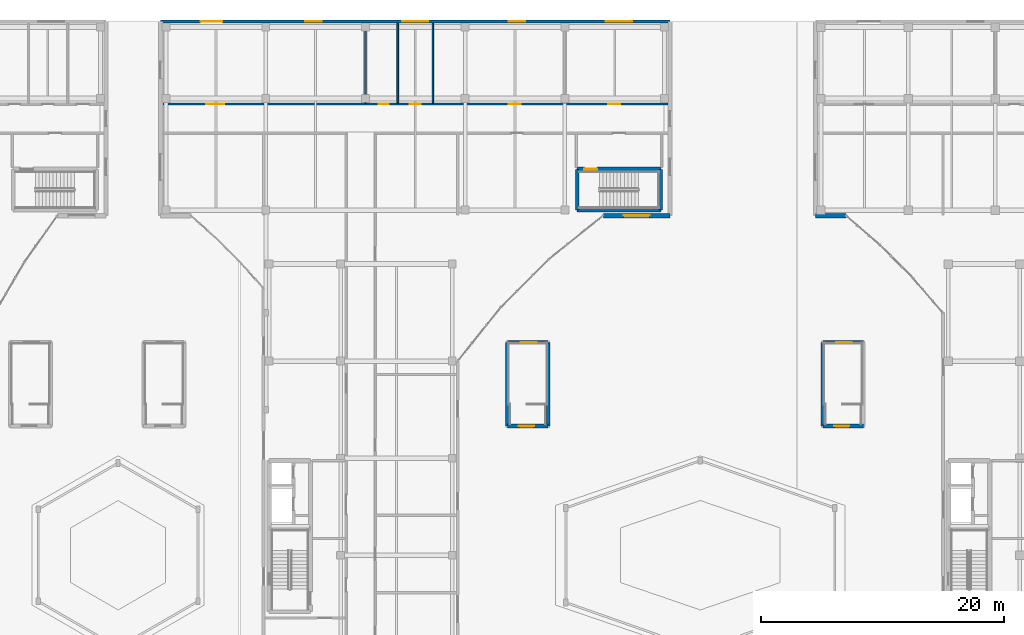
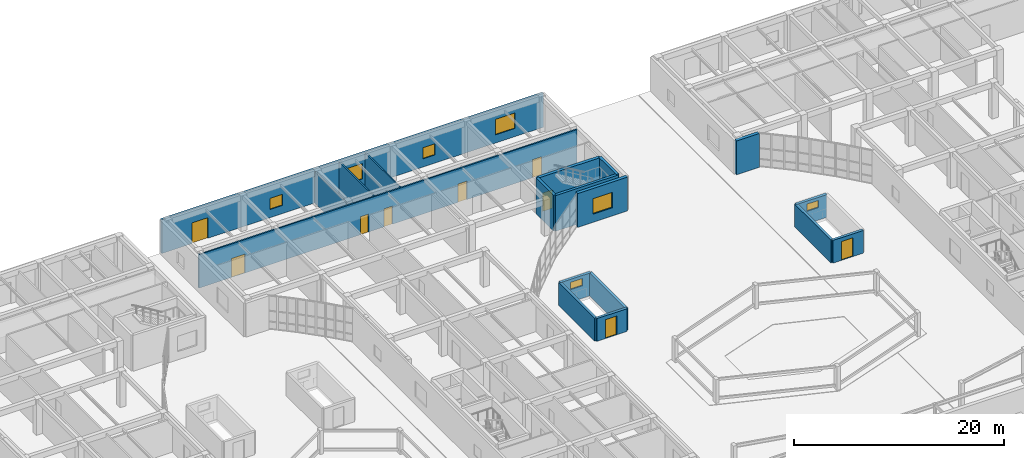
# One storey, part 83 of 114: 18 walls, 9 doors, 7 windows, 16 openings.
"""IFC4 building model written with IfcOpenShell, lengths in metres."""

from ifc_helpers import new_model, si_unit, direction, frame, frame_2d, origin, place, context, subcontext, project, spatial, rectangle, extrude, material, layer, layer_set, type_object, element, fill, save


model = new_model("IFC4")

# Units and contexts
model_context = context("Model", 3, precision=1e-05, world=origin(), true_north=direction((0.0, 1.0)))
body_context = subcontext(model_context, "Body", "Model", "MODEL_VIEW")
ifc_project = project(units=[si_unit("LENGTHUNIT", "METRE"), si_unit("AREAUNIT", "SQUARE_METRE"), si_unit("VOLUMEUNIT", "CUBIC_METRE"), si_unit("PLANEANGLEUNIT", "RADIAN"), si_unit("MASSUNIT", "GRAM", prefix="KILO")], contexts=[model_context])

# Site, building, storey
site_placement = place(None, origin())
site = spatial("IfcSite", under=ifc_project, at=site_placement, CompositionType="ELEMENT")
building_placement = place(site_placement, origin())
building = spatial("IfcBuilding", under=site, at=building_placement, Name="Keldmere Railside Commons", CompositionType="ELEMENT")
storey_placement = place(building_placement, origin())
storey = spatial("IfcBuildingStorey", under=building, at=storey_placement, Name="L00", CompositionType="ELEMENT", Elevation=0.0)

# Wall, openings, doors
ifc_material_1 = material(Name="Acoustic Gypsum Board Partition", Category="gypsum")
ifc_layer_1 = layer(ifc_material_1, 0.159912109375, Name="Corridor Fire Partition 160")
ifc_layer_set_1 = layer_set([ifc_layer_1], Name="Acoustic Gypsum Board Partition")
wall_type_1 = type_object("IfcWallType", Name="Corridor Fire Partition 160", PredefinedType="PARTITIONING", material=ifc_layer_set_1)
wall_1_placement = place(storey_placement, frame((39.679931640625, 109.199951171875, 0.0), z_axis=(0.0, 0.0, 1.0), x_axis=(1.0, 0.0, 0.0)))
wall_1 = element("IfcWall", 1, at=wall_1_placement, inside=storey, type_object=wall_type_1, Name="IW-2 IW-L00-0490", PredefinedType="PARTITIONING", context=body_context, shape_type="SweptSolid", body=[
    extrude(rectangle(XDim=41.64013671875, YDim=0.159912109375, at=frame_2d((20.820068359375, 0.0))), origin(), (0.0, 0.0, 1.0), 3.89501953125),
])
opening_1_placement = place(wall_1_placement, frame((3.570068359375, 0.0, 0.0)))
opening_1 = element("IfcOpeningElement", 2, at=opening_1_placement, cuts=wall_1, Name="Opening ID-07", PredefinedType="OPENING", context=body_context, shape_type="SweptSolid", body=[
    extrude(rectangle(XDim=1.5, YDim=2.199951171875, at=frame_2d((0.75, 1.10009765625))), frame((0.0, 0.08984375, 0.0), z_axis=(0.0, -1.0, 0.0), x_axis=(1.0, 0.0, 0.0)), (0.0, 0.0, 1.0), 0.179931640625),
])
opening_2_placement = place(wall_1_placement, frame((17.7900390625, 0.0, 0.0)))
opening_2 = element("IfcOpeningElement", 3, at=opening_2_placement, cuts=wall_1, Name="Opening ID-04", PredefinedType="OPENING", context=body_context, shape_type="SweptSolid", body=[
    extrude(rectangle(XDim=0.860107421875, YDim=2.10009765625, at=frame_2d((0.43017578125, 1.050048828125))), frame((0.0, 0.08984375, 0.0), z_axis=(0.0, -1.0, 0.0), x_axis=(1.0, 0.0, 0.0)), (0.0, 0.0, 1.0), 0.179931640625),
])
opening_3_placement = place(wall_1_placement, frame((20.35009765625, 0.0, 0.0)))
opening_3 = element("IfcOpeningElement", 4, at=opening_3_placement, cuts=wall_1, Name="Opening ID-05", PredefinedType="OPENING", context=body_context, shape_type="SweptSolid", body=[
    extrude(rectangle(XDim=0.93994140625, YDim=2.10009765625, at=frame_2d((0.469970703125, 1.050048828125))), frame((0.0, 0.08984375, 0.0), z_axis=(0.0, -1.0, 0.0), x_axis=(1.0, 0.0, 0.0)), (0.0, 0.0, 1.0), 0.179931640625),
])
opening_4_placement = place(wall_1_placement, frame((28.5400390625, 0.0, 0.0)))
opening_4 = element("IfcOpeningElement", 5, at=opening_4_placement, cuts=wall_1, Name="Opening ID-08", PredefinedType="OPENING", context=body_context, shape_type="SweptSolid", body=[
    extrude(rectangle(XDim=0.9599609375, YDim=2.14990234375, at=frame_2d((0.47998046875, 1.074951171875))), frame((0.0, 0.08984375, 0.0), z_axis=(0.0, -1.0, 0.0), x_axis=(1.0, 0.0, 0.0)), (0.0, 0.0, 1.0), 0.179931640625),
])
opening_5_placement = place(wall_1_placement, frame((36.719970703125, 0.0, 0.0)))
opening_5 = element("IfcOpeningElement", 6, at=opening_5_placement, cuts=wall_1, Name="Opening FD-9", PredefinedType="OPENING", context=body_context, shape_type="SweptSolid", body=[
    extrude(rectangle(XDim=1.0, YDim=2.10009765625, at=frame_2d((0.5, 1.050048828125))), frame((0.0, 0.08984375, 0.0), z_axis=(0.0, -1.0, 0.0), x_axis=(1.0, 0.0, 0.0)), (0.0, 0.0, 1.0), 0.179931640625),
])
ifc_material_2 = material(Name="Engineered Oak Timber", Category="wood")
door_type_1 = type_object("IfcDoorType", Name="Accessible Bathroom Door 940x2100", OperationType="NOTDEFINED", PredefinedType="DOOR", material=ifc_material_2)
door_1_placement = place(opening_3_placement, origin())
door_1 = element("IfcDoor", 7, at=door_1_placement, inside=storey, type_object=door_type_1, Name="ID-05 IDR-L00-0399", OperationType="SINGLE_SWING_LEFT", OverallHeight=2.10009765625, OverallWidth=0.93994140625, PredefinedType="DOOR", context=body_context, shape_type="SweptSolid", body=[
    extrude(rectangle(XDim=0.93994140625, YDim=2.10009765625, at=frame_2d((0.469970703125, 1.050048828125))), frame((0.0, 0.02490234375, 0.0), z_axis=(0.0, -1.0, 0.0), x_axis=(1.0, 0.0, 0.0)), (0.0, 0.0, 1.0), 0.050048828125),
])
fill(opening_3, door_1)
door_type_2 = type_object("IfcDoorType", Name="Apartment Bathroom Door 860x2100", OperationType="NOTDEFINED", PredefinedType="DOOR", material=ifc_material_2)
door_2_placement = place(opening_2_placement, origin())
door_2 = element("IfcDoor", 8, at=door_2_placement, inside=storey, type_object=door_type_2, Name="ID-04 IDR-L00-0398", OperationType="SINGLE_SWING_RIGHT", OverallHeight=2.10009765625, OverallWidth=0.860107421875, PredefinedType="DOOR", context=body_context, shape_type="SweptSolid", body=[
    extrude(rectangle(XDim=0.860107421875, YDim=2.10009765625, at=frame_2d((0.43017578125, 1.050048828125))), frame((0.0, 0.02490234375, 0.0), z_axis=(0.0, -1.0, 0.0), x_axis=(1.0, 0.0, 0.0)), (0.0, 0.0, 1.0), 0.050048828125),
])
fill(opening_2, door_2)
door_type_3 = type_object("IfcDoorType", Name="Resident Lounge Double Door 1500x2200", OperationType="DOUBLE_DOOR_SINGLE_SWING", PredefinedType="DOOR", material=ifc_material_2)
door_3_placement = place(opening_1_placement, origin())
door_3 = element("IfcDoor", 9, at=door_3_placement, inside=storey, type_object=door_type_3, Name="ID-07 IDR-L00-0397", OperationType="DOUBLE_DOOR_SINGLE_SWING", OverallHeight=2.199951171875, OverallWidth=1.5, PredefinedType="DOOR", context=body_context, shape_type="SweptSolid", body=[
    extrude(rectangle(XDim=1.5, YDim=2.199951171875, at=frame_2d((0.75, 1.10009765625))), frame((0.0, 0.02490234375, 0.0), z_axis=(0.0, -1.0, 0.0), x_axis=(1.0, 0.0, 0.0)), (0.0, 0.0, 1.0), 0.050048828125),
])
fill(opening_1, door_3)
door_type_4 = type_object("IfcDoorType", Name="Study & Meeting Room Door 960x2150", OperationType="NOTDEFINED", PredefinedType="DOOR", material=ifc_material_2)
door_4_placement = place(opening_4_placement, origin())
door_4 = element("IfcDoor", 10, at=door_4_placement, inside=storey, type_object=door_type_4, Name="ID-08 IDR-L00-0400", OperationType="SINGLE_SWING_RIGHT", OverallHeight=2.14990234375, OverallWidth=0.9599609375, PredefinedType="DOOR", context=body_context, shape_type="SweptSolid", body=[
    extrude(rectangle(XDim=0.9599609375, YDim=2.14990234375, at=frame_2d((0.47998046875, 1.074951171875))), frame((0.0, 0.02490234375, 0.0), z_axis=(0.0, -1.0, 0.0), x_axis=(1.0, 0.0, 0.0)), (0.0, 0.0, 1.0), 0.050048828125),
])
fill(opening_4, door_4)
ifc_material_3 = material(Name="Steel F-24 (S235)", Category="steel")
door_type_5 = type_object("IfcDoorType", Name="Waste & Storage Fire Door 1000x2100", OperationType="NOTDEFINED", PredefinedType="DOOR", material=ifc_material_3)
door_5_placement = place(opening_5_placement, origin())
door_5 = element("IfcDoor", 11, at=door_5_placement, inside=storey, type_object=door_type_5, Name="FD-9 IDR-L00-0401", OperationType="SINGLE_SWING_LEFT", OverallHeight=2.10009765625, OverallWidth=1.0, PredefinedType="DOOR", context=body_context, shape_type="SweptSolid", body=[
    extrude(rectangle(XDim=1.0, YDim=2.10009765625, at=frame_2d((0.5, 1.050048828125))), frame((0.0, 0.02490234375, 0.0), z_axis=(0.0, -1.0, 0.0), x_axis=(1.0, 0.0, 0.0)), (0.0, 0.0, 1.0), 0.050048828125),
])
fill(opening_5, door_5)

# Wall, opening, window
ifc_material_4 = material(Name="Concrete H-35 (C35/45)", Category="concrete")
ifc_layer_2 = layer(ifc_material_4, 0.360107421875, Name="Exterior Shear Wall 360")
ifc_layer_set_2 = layer_set([ifc_layer_2], Name="Concrete H-35 (C35/45)")
wall_type_2 = type_object("IfcWallType", Name="Exterior Shear Wall 360", PredefinedType="SHEAR", material=ifc_layer_set_2)
wall_2_placement = place(storey_placement, frame((81.5, 100.0, 0.0), z_axis=(0.0, 0.0, 1.0), x_axis=(-1.0, 0.0, 0.0)))
wall_2 = element("IfcWall", 12, at=wall_2_placement, inside=storey, type_object=wall_type_2, Name="ESW-1 EXTC-L00-0320", PredefinedType="SHEAR", context=body_context, shape_type="SweptSolid", body=[
    extrude(rectangle(XDim=5.5, YDim=0.360107421875, at=frame_2d((2.75, 0.0))), origin(), (0.0, 0.0, 1.0), 3.93994140625),
])
opening_6_placement = place(wall_2_placement, frame((1.675048828125, 0.0, 0.949951171875)))
opening_6 = element("IfcOpeningElement", 13, at=opening_6_placement, cuts=wall_2, Name="Opening WN-41", PredefinedType="OPENING", context=body_context, shape_type="SweptSolid", body=[
    extrude(rectangle(XDim=2.14990234375, YDim=1.800048828125, at=frame_2d((1.074951171875, 0.89990234375))), frame((0.0, 0.18994140625, 0.0), z_axis=(0.0, -1.0, 0.0), x_axis=(1.0, 0.0, 0.0)), (0.0, 0.0, 1.0), 0.380126953125),
])
ifc_material_5 = material(Name="Low-E Insulated Double Glazing", Category="glass")
window_type_1 = type_object("IfcWindowType", Name="North Plinth Gallery Window 2150x1800", PartitioningType="SINGLE_PANEL", PredefinedType="WINDOW", material=ifc_material_5)
window_1_placement = place(opening_6_placement, origin())
window_1 = element("IfcWindow", 14, at=window_1_placement, inside=storey, type_object=window_type_1, Name="WN-41 WIN-L00-0159", OverallHeight=1.800048828125, OverallWidth=2.14990234375, PartitioningType="SINGLE_PANEL", PredefinedType="WINDOW", context=body_context, shape_type="SweptSolid", body=[
    extrude(rectangle(XDim=2.14990234375, YDim=1.800048828125, at=frame_2d((1.074951171875, 0.89990234375))), frame((0.0, 0.030029296875, 0.0), z_axis=(0.0, -1.0, 0.0), x_axis=(1.0, 0.0, 0.0)), (0.0, 0.0, 1.0), 0.06005859375),
])
fill(opening_6, window_1)

# Wall
wall_3_placement = place(storey_placement, frame((96.0, 100.0, 0.0), z_axis=(0.0, 0.0, 1.0), x_axis=(-1.0, 0.0, 0.0)))
element("IfcWall", 15, at=wall_3_placement, inside=storey, type_object=wall_type_2, Name="ESW-1 EXTB-L00-0582", PredefinedType="SHEAR", context=body_context, shape_type="SweptSolid", body=[
    extrude(rectangle(XDim=2.5, YDim=0.360107421875, at=frame_2d((1.25, 0.0))), origin(), (0.0, 0.0, 1.0), 3.93994140625),
])

# Wall, opening, door
ifc_layer_3 = layer(ifc_material_4, 0.300048828125, Name="Interior Shear Wall 300")
ifc_layer_set_3 = layer_set([ifc_layer_3], Name="Concrete H-35 (C35/45)")
wall_type_3 = type_object("IfcWallType", Name="Interior Shear Wall 300", PredefinedType="SHEAR", material=ifc_layer_set_3)
wall_4_placement = place(storey_placement, frame((71.449951171875, 82.64990234375, 0.0), z_axis=(0.0, 0.0, 1.0), x_axis=(-1.0, 0.0, 0.0)))
wall_4 = element("IfcWall", 16, at=wall_4_placement, inside=storey, type_object=wall_type_3, Name="ISW-2 WAL-ST-B3-L00-S", PredefinedType="SHEAR", context=body_context, shape_type="SweptSolid", body=[
    extrude(rectangle(XDim=3.349853515625, YDim=0.300048828125, at=frame_2d((1.6748046875, 0.0))), origin(), (0.0, 0.0, 1.0), 2.64990234375),
])
opening_7_placement = place(wall_4_placement, frame((1.14990234375, 0.0, 0.0)))
opening_7 = element("IfcOpeningElement", 17, at=opening_7_placement, cuts=wall_4, Name="Opening ED-02", PredefinedType="OPENING", context=body_context, shape_type="SweptSolid", body=[
    extrude(rectangle(XDim=1.25, YDim=2.199951171875, at=frame_2d((0.625, 1.10009765625))), frame((0.0, 0.159912109375, 0.0), z_axis=(0.0, -1.0, 0.0), x_axis=(1.0, 0.0, 0.0)), (0.0, 0.0, 1.0), 0.320068359375),
])
door_type_6 = type_object("IfcDoorType", Name="Stair Final Escape Exit Door 1250x2200", OperationType="NOTDEFINED", PredefinedType="DOOR", material=ifc_material_3)
door_6_placement = place(opening_7_placement, origin())
door_6 = element("IfcDoor", 18, at=door_6_placement, inside=storey, type_object=door_type_6, Name="ED-02 ST-B3 Court Exit", OperationType="SINGLE_SWING_LEFT", OverallHeight=2.199951171875, OverallWidth=1.25, PredefinedType="DOOR", context=body_context, shape_type="SweptSolid", body=[
    extrude(rectangle(XDim=1.25, YDim=2.199951171875, at=frame_2d((0.625, 1.10009765625))), frame((0.0, 0.02490234375, 0.0), z_axis=(0.0, -1.0, 0.0), x_axis=(1.0, 0.0, 0.0)), (0.0, 0.0, 1.0), 0.050048828125),
])
fill(opening_7, door_6)

# Wall
wall_5_placement = place(storey_placement, frame((68.10009765625, 82.64990234375, 0.0), z_axis=(0.0, 0.0, 1.0), x_axis=(0.0, 1.0, 0.0)))
element("IfcWall", 19, at=wall_5_placement, inside=storey, type_object=wall_type_3, Name="ISW-2 WAL-ST-B3-L00-W", PredefinedType="SHEAR", context=body_context, shape_type="SweptSolid", body=[
    extrude(rectangle(XDim=6.900146484375, YDim=0.300048828125, at=frame_2d((3.4501953125, 0.0))), origin(), (0.0, 0.0, 1.0), 2.64990234375),
])

# Wall, opening, window
wall_6_placement = place(storey_placement, frame((68.10009765625, 89.550048828125, 0.0), z_axis=(0.0, 0.0, 1.0), x_axis=(1.0, 0.0, 0.0)))
wall_6 = element("IfcWall", 20, at=wall_6_placement, inside=storey, type_object=wall_type_3, Name="ISW-2 WAL-ST-B3-L00-N", PredefinedType="SHEAR", context=body_context, shape_type="SweptSolid", body=[
    extrude(rectangle(XDim=3.349853515625, YDim=0.300048828125, at=frame_2d((1.6748046875, 0.0))), origin(), (0.0, 0.0, 1.0), 2.64990234375),
])
opening_8_placement = place(wall_6_placement, frame((1.10009765625, 0.0, 1.449951171875)))
opening_8 = element("IfcOpeningElement", 21, at=opening_8_placement, cuts=wall_6, Name="Opening WN-37", PredefinedType="OPENING", context=body_context, shape_type="SweptSolid", body=[
    extrude(rectangle(XDim=1.300048828125, YDim=0.85009765625, at=frame_2d((0.64990234375, 0.425048828125))), frame((0.0, 0.159912109375, 0.0), z_axis=(0.0, -1.0, 0.0), x_axis=(1.0, 0.0, 0.0)), (0.0, 0.0, 1.0), 0.320068359375),
])
window_type_2 = type_object("IfcWindowType", Name="Headhouse Louvre-Glazed Clerestory 1300x850", PartitioningType="SINGLE_PANEL", PredefinedType="WINDOW", material=ifc_material_5)
window_2_placement = place(opening_8_placement, origin())
window_2 = element("IfcWindow", 22, at=window_2_placement, inside=storey, type_object=window_type_2, Name="WN-37 WIN-L00-0003", OverallHeight=0.85009765625, OverallWidth=1.300048828125, PartitioningType="SINGLE_PANEL", PredefinedType="WINDOW", context=body_context, shape_type="SweptSolid", body=[
    extrude(rectangle(XDim=1.300048828125, YDim=0.85009765625, at=frame_2d((0.64990234375, 0.425048828125))), frame((0.0, 0.030029296875, 0.0), z_axis=(0.0, -1.0, 0.0), x_axis=(1.0, 0.0, 0.0)), (0.0, 0.0, 1.0), 0.06005859375),
])
fill(opening_8, window_2)

# Wall
wall_7_placement = place(storey_placement, frame((71.449951171875, 89.550048828125, 0.0), z_axis=(0.0, 0.0, 1.0), x_axis=(0.0, -1.0, 0.0)))
element("IfcWall", 23, at=wall_7_placement, inside=storey, type_object=wall_type_3, Name="ISW-2 WAL-ST-B3-L00-E", PredefinedType="SHEAR", context=body_context, shape_type="SweptSolid", body=[
    extrude(rectangle(XDim=6.900146484375, YDim=0.300048828125, at=frame_2d((3.4501953125, 0.0))), origin(), (0.0, 0.0, 1.0), 2.64990234375),
])

# Wall, opening, door
wall_8_placement = place(storey_placement, frame((97.449951171875, 82.64990234375, 0.0), z_axis=(0.0, 0.0, 1.0), x_axis=(-1.0, 0.0, 0.0)))
wall_8 = element("IfcWall", 24, at=wall_8_placement, inside=storey, type_object=wall_type_3, Name="ISW-2 WAL-ST-B4-L00-S", PredefinedType="SHEAR", context=body_context, shape_type="SweptSolid", body=[
    extrude(rectangle(XDim=3.349853515625, YDim=0.300048828125, at=frame_2d((1.6748046875, 0.0))), origin(), (0.0, 0.0, 1.0), 2.64990234375),
])
opening_9_placement = place(wall_8_placement, frame((1.14990234375, 0.0, 0.0)))
opening_9 = element("IfcOpeningElement", 25, at=opening_9_placement, cuts=wall_8, Name="Opening ED-02", PredefinedType="OPENING", context=body_context, shape_type="SweptSolid", body=[
    extrude(rectangle(XDim=1.25, YDim=2.199951171875, at=frame_2d((0.625, 1.10009765625))), frame((0.0, 0.159912109375, 0.0), z_axis=(0.0, -1.0, 0.0), x_axis=(1.0, 0.0, 0.0)), (0.0, 0.0, 1.0), 0.320068359375),
])
door_7_placement = place(opening_9_placement, origin())
door_7 = element("IfcDoor", 26, at=door_7_placement, inside=storey, type_object=door_type_6, Name="ED-02 ST-B4 Court Exit", OperationType="SINGLE_SWING_LEFT", OverallHeight=2.199951171875, OverallWidth=1.25, PredefinedType="DOOR", context=body_context, shape_type="SweptSolid", body=[
    extrude(rectangle(XDim=1.25, YDim=2.199951171875, at=frame_2d((0.625, 1.10009765625))), frame((0.0, 0.02490234375, 0.0), z_axis=(0.0, -1.0, 0.0), x_axis=(1.0, 0.0, 0.0)), (0.0, 0.0, 1.0), 0.050048828125),
])
fill(opening_9, door_7)

# Wall
wall_9_placement = place(storey_placement, frame((94.10009765625, 82.64990234375, 0.0), z_axis=(0.0, 0.0, 1.0), x_axis=(0.0, 1.0, 0.0)))
element("IfcWall", 27, at=wall_9_placement, inside=storey, type_object=wall_type_3, Name="ISW-2 WAL-ST-B4-L00-W", PredefinedType="SHEAR", context=body_context, shape_type="SweptSolid", body=[
    extrude(rectangle(XDim=6.900146484375, YDim=0.300048828125, at=frame_2d((3.4501953125, 0.0))), origin(), (0.0, 0.0, 1.0), 2.64990234375),
])

# Wall, opening, window
wall_10_placement = place(storey_placement, frame((94.10009765625, 89.550048828125, 0.0), z_axis=(0.0, 0.0, 1.0), x_axis=(1.0, 0.0, 0.0)))
wall_10 = element("IfcWall", 28, at=wall_10_placement, inside=storey, type_object=wall_type_3, Name="ISW-2 WAL-ST-B4-L00-N", PredefinedType="SHEAR", context=body_context, shape_type="SweptSolid", body=[
    extrude(rectangle(XDim=3.349853515625, YDim=0.300048828125, at=frame_2d((1.6748046875, 0.0))), origin(), (0.0, 0.0, 1.0), 2.64990234375),
])
opening_10_placement = place(wall_10_placement, frame((1.10009765625, 0.0, 1.449951171875)))
opening_10 = element("IfcOpeningElement", 29, at=opening_10_placement, cuts=wall_10, Name="Opening WN-37", PredefinedType="OPENING", context=body_context, shape_type="SweptSolid", body=[
    extrude(rectangle(XDim=1.300048828125, YDim=0.85009765625, at=frame_2d((0.64990234375, 0.425048828125))), frame((0.0, 0.159912109375, 0.0), z_axis=(0.0, -1.0, 0.0), x_axis=(1.0, 0.0, 0.0)), (0.0, 0.0, 1.0), 0.320068359375),
])
window_3_placement = place(opening_10_placement, origin())
window_3 = element("IfcWindow", 30, at=window_3_placement, inside=storey, type_object=window_type_2, Name="WN-37 WIN-L00-0004", OverallHeight=0.85009765625, OverallWidth=1.300048828125, PartitioningType="SINGLE_PANEL", PredefinedType="WINDOW", context=body_context, shape_type="SweptSolid", body=[
    extrude(rectangle(XDim=1.300048828125, YDim=0.85009765625, at=frame_2d((0.64990234375, 0.425048828125))), frame((0.0, 0.030029296875, 0.0), z_axis=(0.0, -1.0, 0.0), x_axis=(1.0, 0.0, 0.0)), (0.0, 0.0, 1.0), 0.06005859375),
])
fill(opening_10, window_3)

# Walls
wall_11_placement = place(storey_placement, frame((73.85009765625, 100.449951171875, 0.0), z_axis=(0.0, 0.0, 1.0), x_axis=(1.0, 0.0, 0.0)))
element("IfcWall", 31, at=wall_11_placement, inside=storey, type_object=wall_type_3, Name="ISW-2 COREC2S-L00-0206", PredefinedType="SHEAR", context=body_context, shape_type="SweptSolid", body=[
    extrude(rectangle(XDim=6.89990234375, YDim=0.300048828125, at=frame_2d((3.449951171875, 0.0))), origin(), (0.0, 0.0, 1.0), 4.159912109375),
])
for number, where, z_axis, x_axis, name in (
    (32, (73.85009765625, 103.820068359375, 0.0), (0.0, 0.0, 1.0), (0.0, -1.0, 0.0), "ISW-2 COREC2W-L00-0208"),
    (33, (80.75, 100.449951171875, 0.0), (0.0, 0.0, 1.0), (0.0, 1.0, 0.0), "ISW-2 COREC2E-L00-0209"),
):
    element("IfcWall", number, at=place(storey_placement, frame(where, z_axis=z_axis, x_axis=x_axis)), inside=storey, type_object=wall_type_3, Name=name, PredefinedType="SHEAR", context=body_context, shape_type="SweptSolid", body=[
        extrude(rectangle(XDim=3.3701171875, YDim=0.300048828125, at=frame_2d((1.68505859375, 0.0))), origin(), (0.0, 0.0, 1.0), 4.159912109375),
    ])

# Wall, opening, door
ifc_layer_4 = layer(ifc_material_4, 0.340087890625, Name="Interior Shear Wall 340")
ifc_layer_set_4 = layer_set([ifc_layer_4], Name="Concrete H-35 (C35/45)")
wall_type_4 = type_object("IfcWallType", Name="Interior Shear Wall 340", PredefinedType="SHEAR", material=ifc_layer_set_4)
wall_12_placement = place(storey_placement, frame((80.75, 103.820068359375, 0.0), z_axis=(0.0, 0.0, 1.0), x_axis=(-1.0, 0.0, 0.0)))
wall_12 = element("IfcWall", 34, at=wall_12_placement, inside=storey, type_object=wall_type_4, Name="ISW-1 COREC2N-L00-0207", PredefinedType="SHEAR", context=body_context, shape_type="SweptSolid", body=[
    extrude(rectangle(XDim=6.89990234375, YDim=0.340087890625, at=frame_2d((3.449951171875, 0.0))), origin(), (0.0, 0.0, 1.0), 4.159912109375),
])
opening_11_placement = place(wall_12_placement, frame((5.25, 0.0, 0.0)))
opening_11 = element("IfcOpeningElement", 35, at=opening_11_placement, cuts=wall_12, Name="Opening FD-1", PredefinedType="OPENING", context=body_context, shape_type="SweptSolid", body=[
    extrude(rectangle(XDim=1.050048828125, YDim=2.14990234375, at=frame_2d((0.52490234375, 1.074951171875))), frame((0.0, 0.179931640625, 0.0), z_axis=(0.0, -1.0, 0.0), x_axis=(1.0, 0.0, 0.0)), (0.0, 0.0, 1.0), 0.360107421875),
])
door_type_7 = type_object("IfcDoorType", Name="Stair Core Fire Door 1050x2150", OperationType="NOTDEFINED", PredefinedType="DOOR", material=ifc_material_3)
door_8_placement = place(opening_11_placement, origin())
door_8 = element("IfcDoor", 36, at=door_8_placement, inside=storey, type_object=door_type_7, Name="FD-1 C2 L00", OperationType="SINGLE_SWING_RIGHT", OverallHeight=2.14990234375, OverallWidth=1.050048828125, PredefinedType="DOOR", context=body_context, shape_type="SweptSolid", body=[
    extrude(rectangle(XDim=1.050048828125, YDim=2.14990234375, at=frame_2d((0.52490234375, 1.074951171875))), frame((0.0, 0.02490234375, 0.0), z_axis=(0.0, -1.0, 0.0), x_axis=(1.0, 0.0, 0.0)), (0.0, 0.0, 1.0), 0.050048828125),
])
fill(opening_11, door_8)

# Wall, openings, windows, door
ifc_material_6 = material(Name="Architectural Precast Concrete H-35 (C35/45)", Category="concrete")
ifc_layer_5 = layer(ifc_material_6, 0.239990234375, Name="Sand-Ochre Precast Cavity Wall 240")
ifc_layer_set_5 = layer_set([ifc_layer_5], Name="Architectural Precast Concrete H-35 (C35/45)")
wall_type_5 = type_object("IfcWallType", Name="Sand-Ochre Precast Cavity Wall 240", PredefinedType="SOLIDWALL", material=ifc_layer_set_5)
wall_13_placement = place(storey_placement, frame((39.5, 116.0, 0.0), z_axis=(0.0, 0.0, 1.0), x_axis=(1.0, 0.0, 0.0)))
wall_13 = element("IfcWall", 37, at=wall_13_placement, inside=storey, type_object=wall_type_5, Name="EW-2 EXTC-L00-0322", PredefinedType="SOLIDWALL", context=body_context, shape_type="SweptSolid", body=[
    extrude(rectangle(XDim=42.0, YDim=0.239990234375, at=frame_2d((21.0, 0.0))), origin(), (0.0, 0.0, 1.0), 3.93994140625),
])
opening_12_placement = place(wall_13_placement, frame((3.300048828125, 0.0, 0.0)))
opening_12 = element("IfcOpeningElement", 38, at=opening_12_placement, cuts=wall_13, Name="Opening ED-01", PredefinedType="OPENING", context=body_context, shape_type="SweptSolid", body=[
    extrude(rectangle(XDim=1.800048828125, YDim=2.39990234375, at=frame_2d((0.89990234375, 1.199951171875))), frame((0.0, 0.1298828125, 0.0), z_axis=(0.0, -1.0, 0.0), x_axis=(1.0, 0.0, 0.0)), (0.0, 0.0, 1.0), 0.260009765625),
])
opening_13_placement = place(wall_13_placement, frame((11.925048828125, 0.0, 0.949951171875)))
opening_13 = element("IfcOpeningElement", 39, at=opening_13_placement, cuts=wall_13, Name="Opening WN-25", PredefinedType="OPENING", context=body_context, shape_type="SweptSolid", body=[
    extrude(rectangle(XDim=1.35009765625, YDim=1.300048828125, at=frame_2d((0.675048828125, 0.64990234375))), frame((0.0, 0.1298828125, 0.0), z_axis=(0.0, -1.0, 0.0), x_axis=(1.0, 0.0, 0.0)), (0.0, 0.0, 1.0), 0.260009765625),
])
opening_14_placement = place(wall_13_placement, frame((19.925048828125, 0.0, 0.949951171875)))
opening_14 = element("IfcOpeningElement", 40, at=opening_14_placement, cuts=wall_13, Name="Opening WN-41", PredefinedType="OPENING", context=body_context, shape_type="SweptSolid", body=[
    extrude(rectangle(XDim=2.14990234375, YDim=1.800048828125, at=frame_2d((1.074951171875, 0.89990234375))), frame((0.0, 0.1298828125, 0.0), z_axis=(0.0, -1.0, 0.0), x_axis=(1.0, 0.0, 0.0)), (0.0, 0.0, 1.0), 0.260009765625),
])
opening_15_placement = place(wall_13_placement, frame((28.72509765625, 0.0, 0.949951171875)))
opening_15 = element("IfcOpeningElement", 41, at=opening_15_placement, cuts=wall_13, Name="Opening WN-25", PredefinedType="OPENING", context=body_context, shape_type="SweptSolid", body=[
    extrude(rectangle(XDim=1.35009765625, YDim=1.300048828125, at=frame_2d((0.675048828125, 0.64990234375))), frame((0.0, 0.1298828125, 0.0), z_axis=(0.0, -1.0, 0.0), x_axis=(1.0, 0.0, 0.0)), (0.0, 0.0, 1.0), 0.260009765625),
])
opening_16_placement = place(wall_13_placement, frame((36.72509765625, 0.0, 0.949951171875)))
opening_16 = element("IfcOpeningElement", 42, at=opening_16_placement, cuts=wall_13, Name="Opening WN-41", PredefinedType="OPENING", context=body_context, shape_type="SweptSolid", body=[
    extrude(rectangle(XDim=2.14990234375, YDim=1.800048828125, at=frame_2d((1.074951171875, 0.89990234375))), frame((0.0, 0.1298828125, 0.0), z_axis=(0.0, -1.0, 0.0), x_axis=(1.0, 0.0, 0.0)), (0.0, 0.0, 1.0), 0.260009765625),
])
window_4_placement = place(opening_14_placement, origin())
window_4 = element("IfcWindow", 43, at=window_4_placement, inside=storey, type_object=window_type_1, Name="WN-41 WIN-L00-0162", OverallHeight=1.800048828125, OverallWidth=2.14990234375, PartitioningType="SINGLE_PANEL", PredefinedType="WINDOW", context=body_context, shape_type="SweptSolid", body=[
    extrude(rectangle(XDim=2.14990234375, YDim=1.800048828125, at=frame_2d((1.074951171875, 0.89990234375))), frame((0.0, 0.030029296875, 0.0), z_axis=(0.0, -1.0, 0.0), x_axis=(1.0, 0.0, 0.0)), (0.0, 0.0, 1.0), 0.06005859375),
])
fill(opening_14, window_4)
window_5_placement = place(opening_16_placement, origin())
window_5 = element("IfcWindow", 44, at=window_5_placement, inside=storey, type_object=window_type_1, Name="WN-41 WIN-L00-0164", OverallHeight=1.800048828125, OverallWidth=2.14990234375, PartitioningType="SINGLE_PANEL", PredefinedType="WINDOW", context=body_context, shape_type="SweptSolid", body=[
    extrude(rectangle(XDim=2.14990234375, YDim=1.800048828125, at=frame_2d((1.074951171875, 0.89990234375))), frame((0.0, 0.030029296875, 0.0), z_axis=(0.0, -1.0, 0.0), x_axis=(1.0, 0.0, 0.0)), (0.0, 0.0, 1.0), 0.06005859375),
])
fill(opening_16, window_5)
window_type_3 = type_object("IfcWindowType", Name="Podium Laundry & Mailroom Window 1350x1300", PartitioningType="SINGLE_PANEL", PredefinedType="WINDOW", material=ifc_material_5)
window_6_placement = place(opening_13_placement, origin())
window_6 = element("IfcWindow", 45, at=window_6_placement, inside=storey, type_object=window_type_3, Name="WN-25 WIN-L00-0161", OverallHeight=1.300048828125, OverallWidth=1.35009765625, PartitioningType="SINGLE_PANEL", PredefinedType="WINDOW", context=body_context, shape_type="SweptSolid", body=[
    extrude(rectangle(XDim=1.35009765625, YDim=1.300048828125, at=frame_2d((0.675048828125, 0.64990234375))), frame((0.0, 0.030029296875, 0.0), z_axis=(0.0, -1.0, 0.0), x_axis=(1.0, 0.0, 0.0)), (0.0, 0.0, 1.0), 0.06005859375),
])
fill(opening_13, window_6)
window_7_placement = place(opening_15_placement, origin())
window_7 = element("IfcWindow", 46, at=window_7_placement, inside=storey, type_object=window_type_3, Name="WN-25 WIN-L00-0163", OverallHeight=1.300048828125, OverallWidth=1.35009765625, PartitioningType="SINGLE_PANEL", PredefinedType="WINDOW", context=body_context, shape_type="SweptSolid", body=[
    extrude(rectangle(XDim=1.35009765625, YDim=1.300048828125, at=frame_2d((0.675048828125, 0.64990234375))), frame((0.0, 0.030029296875, 0.0), z_axis=(0.0, -1.0, 0.0), x_axis=(1.0, 0.0, 0.0)), (0.0, 0.0, 1.0), 0.06005859375),
])
fill(opening_15, window_7)
ifc_material_7 = material(Name="Thermally Broken Aluminium", Category="aluminium")
door_type_8 = type_object("IfcDoorType", Name="Residential Main Entrance Double Door 1800x2400", OperationType="DOUBLE_DOOR_SINGLE_SWING", PredefinedType="DOOR", material=ifc_material_7)
door_9_placement = place(opening_12_placement, origin())
door_9 = element("IfcDoor", 47, at=door_9_placement, inside=storey, type_object=door_type_8, Name="ED-01 DR-L00-0052", OperationType="DOUBLE_DOOR_SINGLE_SWING", OverallHeight=2.39990234375, OverallWidth=1.800048828125, PredefinedType="DOOR", context=body_context, shape_type="SweptSolid", body=[
    extrude(rectangle(XDim=1.800048828125, YDim=2.39990234375, at=frame_2d((0.89990234375, 1.199951171875))), frame((0.0, 0.02490234375, 0.0), z_axis=(0.0, -1.0, 0.0), x_axis=(1.0, 0.0, 0.0)), (0.0, 0.0, 1.0), 0.050048828125),
])
fill(opening_12, door_9)

# Walls
ifc_layer_6 = layer(ifc_material_1, 0.139892578125, Name="Wet-Room Sanitary Partition 140")
ifc_layer_set_6 = layer_set([ifc_layer_6], Name="Acoustic Gypsum Board Partition")
wall_type_6 = type_object("IfcWallType", Name="Wet-Room Sanitary Partition 140", PredefinedType="PARTITIONING", material=ifc_layer_set_6)
wall_14_placement = place(storey_placement, frame((56.389892578125, 109.280029296875, 0.0), z_axis=(0.0, 0.0, 1.0), x_axis=(0.0, 1.0, 0.0)))
element("IfcWall", 48, at=wall_14_placement, inside=storey, type_object=wall_type_6, Name="IW-5 IW-L00-0499", PredefinedType="PARTITIONING", context=body_context, shape_type="SweptSolid", body=[
    extrude(rectangle(XDim=6.599853515625, YDim=0.139892578125, at=frame_2d((3.2998046875, 0.0))), origin(), (0.0, 0.0, 1.0), 3.639892578125),
])
for number, where, z_axis, x_axis, name in (
    (49, (59.050048828125, 109.280029296875, 0.0), (0.0, 0.0, 1.0), (0.0, 1.0, 0.0), "IW-5 IW-L00-0500"),
    (50, (61.949951171875, 109.280029296875, 0.0), (0.0, 0.0, 1.0), (0.0, 1.0, 0.0), "IW-5 IW-L00-0501"),
):
    element("IfcWall", number, at=place(storey_placement, frame(where, z_axis=z_axis, x_axis=x_axis)), inside=storey, type_object=wall_type_6, Name=name, PredefinedType="PARTITIONING", context=body_context, shape_type="SweptSolid", body=[
        extrude(rectangle(XDim=6.599853515625, YDim=0.139892578125, at=frame_2d((3.2998046875, 0.0))), origin(), (0.0, 0.0, 1.0), 3.89501953125),
    ])

save(model, "model.ifc")
